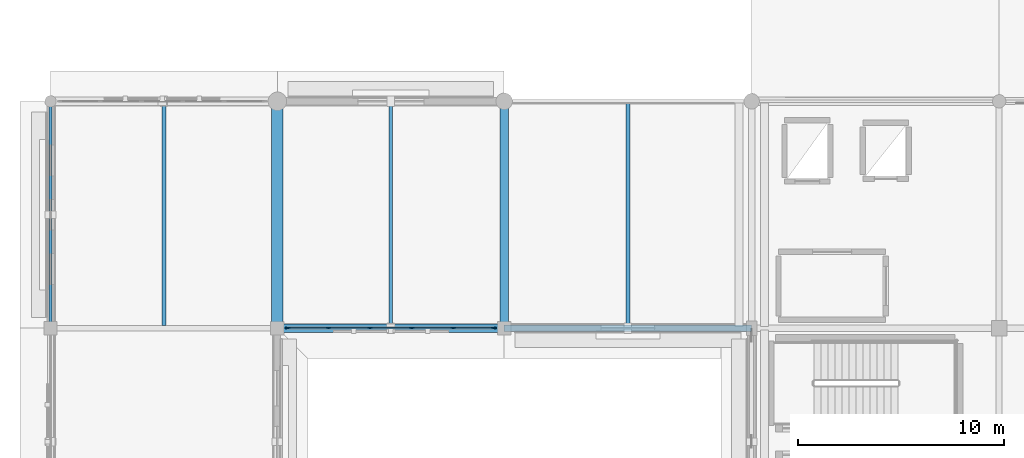
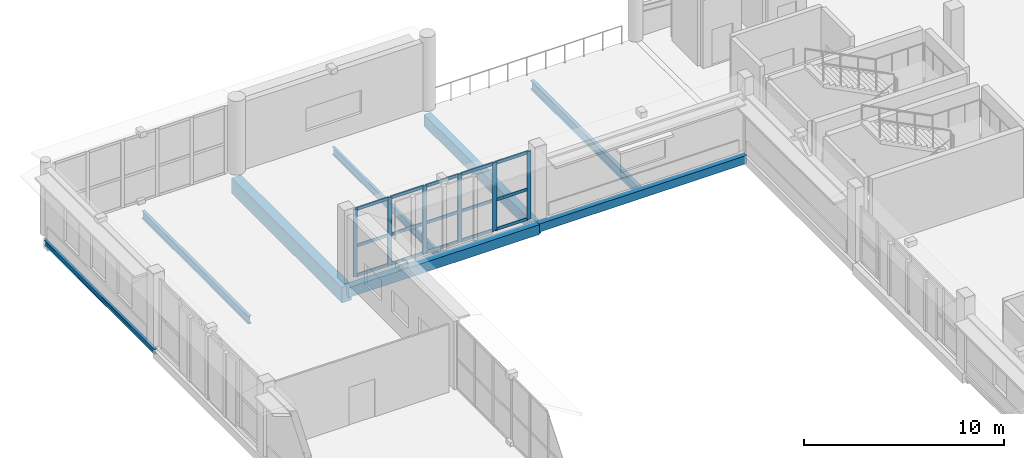
# One storey, part 38 of 118: 21 members, 8 beams, 1 element without a shape of its own.
"""IFC4 building model written with IfcOpenShell, lengths in metres."""

from ifc_helpers import new_model, si_unit, direction, frame, origin, origin_2d, place, context, subcontext, project, spatial, rectangle, hollow_rectangle, i_section, extrude, material, material_profile, profile_set, type_object, element, aggregate, save


model = new_model("IFC4")

# Units and contexts
model_context = context("Model", 3, precision=1e-05, world=origin(), true_north=direction((0.0, 1.0)))
body_context = subcontext(model_context, "Body", "Model", "MODEL_VIEW")
ifc_project = project(units=[si_unit("LENGTHUNIT", "METRE"), si_unit("AREAUNIT", "SQUARE_METRE"), si_unit("VOLUMEUNIT", "CUBIC_METRE"), si_unit("PLANEANGLEUNIT", "RADIAN"), si_unit("MASSUNIT", "GRAM", prefix="KILO")], contexts=[model_context])

# Site, building, storey
site_placement = place(None, origin())
site = spatial("IfcSite", under=ifc_project, at=site_placement, CompositionType="ELEMENT")
building_placement = place(site_placement, origin())
building = spatial("IfcBuilding", under=site, at=building_placement, Name="Luwafu Chhajja Arena", CompositionType="ELEMENT")
storey_placement = place(building_placement, frame((0.0, 0.0, 10.199951171875)))
storey = spatial("IfcBuildingStorey", under=building, at=storey_placement, Name="L02", CompositionType="ELEMENT", Elevation=10.199951171875)

# Curtain wall, members
ifc_material_1 = material(Name="Anodised bronze aluminium", Category="aluminium")
curtain_wall_type = type_object("IfcCurtainWallType", Name="Media Ribbon Curtain Wall", PredefinedType="USERDEFINED", material=ifc_material_1)
curtain_wall_placement = place(storey_placement, origin())
curtain_wall = element("IfcCurtainWall", 1, at=curtain_wall_placement, inside=storey, type_object=curtain_wall_type, Name="L02 Curtain Wall CWG-L02-H01_08", ObjectType="CURTAIN WALL", PredefinedType="USERDEFINED")
ifc_material_profile_1 = material_profile(ifc_material_1, rectangle(XDim=0.070068359375, YDim=0.239990234375, at=origin_2d()), Name="CWM 70x240")
ifc_profile_set_1 = profile_set([ifc_material_profile_1], Name="Anodised bronze aluminium")
member_type_1 = type_object("IfcMemberType", Name="Bronze Curtain Wall Mullion 70x240", PredefinedType="MULLION", material=ifc_profile_set_1)
member_1_placement = place(storey_placement, frame((11.5, 88.0, 0.030029296875), z_axis=(0.0, 0.0, 1.0), x_axis=(0.0, 1.0, 0.0)))
member_1 = element("IfcMember", 2, at=member_1_placement, type_object=member_type_1, Name="CW-03 mullion 1", PredefinedType="MULLION", context=body_context, shape_type="SweptSolid", body=[
    extrude(rectangle(XDim=0.070068359375, YDim=0.239990234375, at=origin_2d()), origin(), (0.0, 0.0, 1.0), 4.114990234375),
])
member_2_placement = place(storey_placement, frame((13.47900390625, 88.0, 0.030029296875), z_axis=(0.0, 0.0, 1.0), x_axis=(0.0, 1.0, 0.0)))
member_2 = element("IfcMember", 3, at=member_2_placement, type_object=member_type_1, Name="CW-03 mullion 2", PredefinedType="MULLION", context=body_context, shape_type="SweptSolid", body=[
    extrude(rectangle(XDim=0.070068359375, YDim=0.239990234375, at=origin_2d()), origin(), (0.0, 0.0, 1.0), 4.114990234375),
])
member_3_placement = place(storey_placement, frame((15.492919921875, 88.0, 0.030029296875), z_axis=(0.0, 0.0, 1.0), x_axis=(0.0, 1.0, 0.0)))
member_3 = element("IfcMember", 4, at=member_3_placement, type_object=member_type_1, Name="CW-03 mullion 3", PredefinedType="MULLION", context=body_context, shape_type="SweptSolid", body=[
    extrude(rectangle(XDim=0.070068359375, YDim=0.239990234375, at=origin_2d()), origin(), (0.0, 0.0, 1.0), 4.114990234375),
])
member_4_placement = place(storey_placement, frame((17.507080078125, 88.0, 0.030029296875), z_axis=(0.0, 0.0, 1.0), x_axis=(0.0, 1.0, 0.0)))
member_4 = element("IfcMember", 5, at=member_4_placement, type_object=member_type_1, Name="CW-03 mullion 4", PredefinedType="MULLION", context=body_context, shape_type="SweptSolid", body=[
    extrude(rectangle(XDim=0.070068359375, YDim=0.239990234375, at=origin_2d()), origin(), (0.0, 0.0, 1.0), 4.114990234375),
])
member_5_placement = place(storey_placement, frame((19.52099609375, 88.0, 0.030029296875), z_axis=(0.0, 0.0, 1.0), x_axis=(0.0, 1.0, 0.0)))
member_5 = element("IfcMember", 6, at=member_5_placement, type_object=member_type_1, Name="CW-03 mullion 5", PredefinedType="MULLION", context=body_context, shape_type="SweptSolid", body=[
    extrude(rectangle(XDim=0.070068359375, YDim=0.239990234375, at=origin_2d()), origin(), (0.0, 0.0, 1.0), 4.114990234375),
])
member_6_placement = place(storey_placement, frame((21.5, 88.0, 0.030029296875), z_axis=(0.0, 0.0, 1.0), x_axis=(0.0, 1.0, 0.0)))
member_6 = element("IfcMember", 7, at=member_6_placement, type_object=member_type_1, Name="CW-03 mullion 6", PredefinedType="MULLION", context=body_context, shape_type="SweptSolid", body=[
    extrude(rectangle(XDim=0.070068359375, YDim=0.239990234375, at=origin_2d()), origin(), (0.0, 0.0, 1.0), 4.114990234375),
])
ifc_material_profile_2 = material_profile(ifc_material_1, rectangle(XDim=0.070068359375, YDim=0.179931640625, at=origin_2d()), Name="CWT 70x180")
ifc_profile_set_2 = profile_set([ifc_material_profile_2], Name="Anodised bronze aluminium")
member_type_2 = type_object("IfcMemberType", Name="Bronze Curtain Wall Transom 70x180", PredefinedType="USERDEFINED", material=ifc_profile_set_2)
member_7_placement = place(storey_placement, frame((11.534912109375, 88.0, 0.06494140625), z_axis=(1.0, 0.0, 0.0), x_axis=(0.0, 1.0, 0.0)))
member_7 = element("IfcMember", 8, at=member_7_placement, type_object=member_type_2, Name="CW-03 transom 1.1", ObjectType="TRANSOM", PredefinedType="USERDEFINED", context=body_context, shape_type="SweptSolid", body=[
    extrude(rectangle(XDim=0.070068359375, YDim=0.179931640625, at=origin_2d()), origin(), (0.0, 0.0, 1.0), 1.9091796875),
])
member_8_placement = place(storey_placement, frame((11.534912109375, 88.0, 1.865234375), z_axis=(1.0, 0.0, 0.0), x_axis=(0.0, 1.0, 0.0)))
member_8 = element("IfcMember", 9, at=member_8_placement, type_object=member_type_2, Name="CW-03 transom 1.2", ObjectType="TRANSOM", PredefinedType="USERDEFINED", context=body_context, shape_type="SweptSolid", body=[
    extrude(rectangle(XDim=0.070068359375, YDim=0.179931640625, at=origin_2d()), origin(), (0.0, 0.0, 1.0), 1.9091796875),
])
member_9_placement = place(storey_placement, frame((11.534912109375, 88.0, 4.110107421875), z_axis=(1.0, 0.0, 0.0), x_axis=(0.0, 1.0, 0.0)))
member_9 = element("IfcMember", 10, at=member_9_placement, type_object=member_type_2, Name="CW-03 transom 1.3", ObjectType="TRANSOM", PredefinedType="USERDEFINED", context=body_context, shape_type="SweptSolid", body=[
    extrude(rectangle(XDim=0.070068359375, YDim=0.179931640625, at=origin_2d()), origin(), (0.0, 0.0, 1.0), 1.9091796875),
])
member_10_placement = place(storey_placement, frame((13.513916015625, 88.0, 0.06494140625), z_axis=(1.0, 0.0, 0.0), x_axis=(0.0, 1.0, 0.0)))
member_10 = element("IfcMember", 11, at=member_10_placement, type_object=member_type_2, Name="CW-03 transom 2.1", ObjectType="TRANSOM", PredefinedType="USERDEFINED", context=body_context, shape_type="SweptSolid", body=[
    extrude(rectangle(XDim=0.070068359375, YDim=0.179931640625, at=origin_2d()), origin(), (0.0, 0.0, 1.0), 1.944091796875),
])
member_11_placement = place(storey_placement, frame((13.513916015625, 88.0, 1.865234375), z_axis=(1.0, 0.0, 0.0), x_axis=(0.0, 1.0, 0.0)))
member_11 = element("IfcMember", 12, at=member_11_placement, type_object=member_type_2, Name="CW-03 transom 2.2", ObjectType="TRANSOM", PredefinedType="USERDEFINED", context=body_context, shape_type="SweptSolid", body=[
    extrude(rectangle(XDim=0.070068359375, YDim=0.179931640625, at=origin_2d()), origin(), (0.0, 0.0, 1.0), 1.944091796875),
])
member_12_placement = place(storey_placement, frame((13.513916015625, 88.0, 4.110107421875), z_axis=(1.0, 0.0, 0.0), x_axis=(0.0, 1.0, 0.0)))
member_12 = element("IfcMember", 13, at=member_12_placement, type_object=member_type_2, Name="CW-03 transom 2.3", ObjectType="TRANSOM", PredefinedType="USERDEFINED", context=body_context, shape_type="SweptSolid", body=[
    extrude(rectangle(XDim=0.070068359375, YDim=0.179931640625, at=origin_2d()), origin(), (0.0, 0.0, 1.0), 1.944091796875),
])
member_13_placement = place(storey_placement, frame((15.528076171875, 88.0, 0.06494140625), z_axis=(1.0, 0.0, 0.0), x_axis=(0.0, 1.0, 0.0)))
member_13 = element("IfcMember", 14, at=member_13_placement, type_object=member_type_2, Name="CW-03 transom 3.1", ObjectType="TRANSOM", PredefinedType="USERDEFINED", context=body_context, shape_type="SweptSolid", body=[
    extrude(rectangle(XDim=0.070068359375, YDim=0.179931640625, at=origin_2d()), origin(), (0.0, 0.0, 1.0), 1.94384765625),
])
member_14_placement = place(storey_placement, frame((15.528076171875, 88.0, 1.865234375), z_axis=(1.0, 0.0, 0.0), x_axis=(0.0, 1.0, 0.0)))
member_14 = element("IfcMember", 15, at=member_14_placement, type_object=member_type_2, Name="CW-03 transom 3.2", ObjectType="TRANSOM", PredefinedType="USERDEFINED", context=body_context, shape_type="SweptSolid", body=[
    extrude(rectangle(XDim=0.070068359375, YDim=0.179931640625, at=origin_2d()), origin(), (0.0, 0.0, 1.0), 1.94384765625),
])
member_15_placement = place(storey_placement, frame((15.528076171875, 88.0, 4.110107421875), z_axis=(1.0, 0.0, 0.0), x_axis=(0.0, 1.0, 0.0)))
member_15 = element("IfcMember", 16, at=member_15_placement, type_object=member_type_2, Name="CW-03 transom 3.3", ObjectType="TRANSOM", PredefinedType="USERDEFINED", context=body_context, shape_type="SweptSolid", body=[
    extrude(rectangle(XDim=0.070068359375, YDim=0.179931640625, at=origin_2d()), origin(), (0.0, 0.0, 1.0), 1.94384765625),
])
member_16_placement = place(storey_placement, frame((17.5419921875, 88.0, 0.06494140625), z_axis=(1.0, 0.0, 0.0), x_axis=(0.0, 1.0, 0.0)))
member_16 = element("IfcMember", 17, at=member_16_placement, type_object=member_type_2, Name="CW-03 transom 4.1", ObjectType="TRANSOM", PredefinedType="USERDEFINED", context=body_context, shape_type="SweptSolid", body=[
    extrude(rectangle(XDim=0.070068359375, YDim=0.179931640625, at=origin_2d()), origin(), (0.0, 0.0, 1.0), 1.944091796875),
])
member_17_placement = place(storey_placement, frame((17.5419921875, 88.0, 1.865234375), z_axis=(1.0, 0.0, 0.0), x_axis=(0.0, 1.0, 0.0)))
member_17 = element("IfcMember", 18, at=member_17_placement, type_object=member_type_2, Name="CW-03 transom 4.2", ObjectType="TRANSOM", PredefinedType="USERDEFINED", context=body_context, shape_type="SweptSolid", body=[
    extrude(rectangle(XDim=0.070068359375, YDim=0.179931640625, at=origin_2d()), origin(), (0.0, 0.0, 1.0), 1.944091796875),
])
member_18_placement = place(storey_placement, frame((17.5419921875, 88.0, 4.110107421875), z_axis=(1.0, 0.0, 0.0), x_axis=(0.0, 1.0, 0.0)))
member_18 = element("IfcMember", 19, at=member_18_placement, type_object=member_type_2, Name="CW-03 transom 4.3", ObjectType="TRANSOM", PredefinedType="USERDEFINED", context=body_context, shape_type="SweptSolid", body=[
    extrude(rectangle(XDim=0.070068359375, YDim=0.179931640625, at=origin_2d()), origin(), (0.0, 0.0, 1.0), 1.944091796875),
])
member_19_placement = place(storey_placement, frame((19.555908203125, 88.0, 0.06494140625), z_axis=(1.0, 0.0, 0.0), x_axis=(0.0, 1.0, 0.0)))
member_19 = element("IfcMember", 20, at=member_19_placement, type_object=member_type_2, Name="CW-03 transom 5.1", ObjectType="TRANSOM", PredefinedType="USERDEFINED", context=body_context, shape_type="SweptSolid", body=[
    extrude(rectangle(XDim=0.070068359375, YDim=0.179931640625, at=origin_2d()), origin(), (0.0, 0.0, 1.0), 1.9091796875),
])
member_20_placement = place(storey_placement, frame((19.555908203125, 88.0, 1.865234375), z_axis=(1.0, 0.0, 0.0), x_axis=(0.0, 1.0, 0.0)))
member_20 = element("IfcMember", 21, at=member_20_placement, type_object=member_type_2, Name="CW-03 transom 5.2", ObjectType="TRANSOM", PredefinedType="USERDEFINED", context=body_context, shape_type="SweptSolid", body=[
    extrude(rectangle(XDim=0.070068359375, YDim=0.179931640625, at=origin_2d()), origin(), (0.0, 0.0, 1.0), 1.9091796875),
])
member_21_placement = place(storey_placement, frame((19.555908203125, 88.0, 4.110107421875), z_axis=(1.0, 0.0, 0.0), x_axis=(0.0, 1.0, 0.0)))
member_21 = element("IfcMember", 22, at=member_21_placement, type_object=member_type_2, Name="CW-03 transom 5.3", ObjectType="TRANSOM", PredefinedType="USERDEFINED", context=body_context, shape_type="SweptSolid", body=[
    extrude(rectangle(XDim=0.070068359375, YDim=0.179931640625, at=origin_2d()), origin(), (0.0, 0.0, 1.0), 1.9091796875),
])
aggregate(curtain_wall, [member_1, member_2, member_3, member_4, member_5, member_6, member_7, member_8, member_9, member_10, member_11, member_12, member_13, member_14, member_15, member_16, member_17, member_18, member_19, member_20, member_21])

# Beams
ifc_material_2 = material(Name="Steel S355", Category="steel")
ifc_material_profile_3 = material_profile(ifc_material_2, i_section(OverallWidth=0.165771484375, OverallDepth=0.306640625, WebThickness=0.006591796875, FlangeThickness=0.01171875, at=origin_2d()), Name="UB 305x165x46")
ifc_profile_set_3 = profile_set([ifc_material_profile_3], Name="Steel S355")
beam_type_1 = type_object("IfcBeamType", Name="Concourse Edge Spandrel Beam UB 305x165x46", PredefinedType="SPANDREL", material=ifc_profile_set_3)
beam_1_placement = place(storey_placement, frame((0.0, 88.0, -0.543212890625), z_axis=(0.0, 1.0, 0.0), x_axis=(-1.0, 0.0, 0.0)))
element("IfcBeam", 23, at=beam_1_placement, inside=storey, type_object=beam_type_1, Name="L02 Grid Beam 1/J-K", PredefinedType="SPANDREL", context=body_context, shape_type="SweptSolid", body=[
    extrude(i_section(OverallWidth=0.165771484375, OverallDepth=0.306640625, WebThickness=0.006591796875, FlangeThickness=0.01171875, at=origin_2d()), origin(), (0.0, 0.0, 1.0), 11.0),
])
ifc_material_3 = material(Name="Concrete C35/45", Category="concrete")
ifc_material_profile_4 = material_profile(ifc_material_3, rectangle(XDim=0.550048828125, YDim=0.949951171875, at=origin_2d()), Name="RC 550x950")
ifc_profile_set_4 = profile_set([ifc_material_profile_4], Name="Concrete C35/45")
beam_type_2 = type_object("IfcBeamType", Name="Concourse Radial Girder RC 550x950", PredefinedType="BEAM", material=ifc_profile_set_4)
beam_2_placement = place(storey_placement, frame((11.0, 88.0, -0.864990234375), z_axis=(0.0, 1.0, 0.0), x_axis=(-1.0, 0.0, 0.0)))
element("IfcBeam", 24, at=beam_2_placement, inside=storey, type_object=beam_type_2, Name="L02 Grid Beam 2/J-K", PredefinedType="BEAM", context=body_context, shape_type="SweptSolid", body=[
    extrude(rectangle(XDim=0.550048828125, YDim=0.949951171875, at=origin_2d()), origin(), (0.0, 0.0, 1.0), 11.0),
])
ifc_material_profile_5 = material_profile(ifc_material_2, i_section(OverallWidth=0.15283203125, OverallDepth=0.45458984375, WebThickness=0.008056640625, FlangeThickness=0.01318359375, at=origin_2d()), Name="UB 457x152x60")
ifc_profile_set_5 = profile_set([ifc_material_profile_5], Name="Steel S355")
beam_type_3 = type_object("IfcBeamType", Name="Floor Joist UB 457x152x60", PredefinedType="JOIST", material=ifc_profile_set_5)
beam_3_placement = place(storey_placement, frame((16.5, 88.199951171875, -0.6171875), z_axis=(0.0, 1.0, 0.0), x_axis=(-1.0, 0.0, 0.0)))
element("IfcBeam", 25, at=beam_3_placement, inside=storey, type_object=beam_type_3, Name="L02 Secondary Joist 2-3/J", PredefinedType="JOIST", context=body_context, shape_type="SweptSolid", body=[
    extrude(i_section(OverallWidth=0.15283203125, OverallDepth=0.45458984375, WebThickness=0.008056640625, FlangeThickness=0.01318359375, at=origin_2d()), origin(), (0.0, 0.0, 1.0), 10.650146484375),
])
ifc_material_profile_6 = material_profile(ifc_material_2, i_section(OverallWidth=0.19140625, OverallDepth=0.4599609375, WebThickness=0.010009765625, FlangeThickness=0.01611328125, at=origin_2d()), Name="UB 457x191x82")
ifc_profile_set_6 = profile_set([ifc_material_profile_6], Name="Steel S355")
beam_type_4 = type_object("IfcBeamType", Name="Floor Joist UB 457x191x82", PredefinedType="JOIST", material=ifc_profile_set_6)
beam_4_placement = place(storey_placement, frame((5.5, 88.126953125, -0.619873046875), z_axis=(0.0, 1.0, 0.0), x_axis=(-1.0, 0.0, 0.0)))
element("IfcBeam", 26, at=beam_4_placement, inside=storey, type_object=beam_type_4, Name="L02 Secondary Joist 1-2/J", PredefinedType="JOIST", context=body_context, shape_type="SweptSolid", body=[
    extrude(i_section(OverallWidth=0.19140625, OverallDepth=0.4599609375, WebThickness=0.010009765625, FlangeThickness=0.01611328125, at=origin_2d()), origin(), (0.0, 0.0, 1.0), 10.673095703125),
])
ifc_material_profile_7 = material_profile(ifc_material_2, i_section(OverallWidth=0.2099609375, OverallDepth=0.53662109375, WebThickness=0.0107421875, FlangeThickness=0.017333984375, at=origin_2d()), Name="UB 533x210x101")
ifc_profile_set_7 = profile_set([ifc_material_profile_7], Name="Steel S355")
beam_type_5 = type_object("IfcBeamType", Name="Floor Joist UB 533x210x101", PredefinedType="JOIST", material=ifc_profile_set_7)
beam_5_placement = place(storey_placement, frame((28.0, 88.14990234375, -0.658203125), z_axis=(0.0, 1.0, 0.0), x_axis=(-1.0, 0.0, 0.0)))
element("IfcBeam", 27, at=beam_5_placement, inside=storey, type_object=beam_type_5, Name="L02 Secondary Joist 3-4/J", PredefinedType="JOIST", context=body_context, shape_type="SweptSolid", body=[
    extrude(i_section(OverallWidth=0.2099609375, OverallDepth=0.53662109375, WebThickness=0.0107421875, FlangeThickness=0.017333984375, at=origin_2d()), origin(), (0.0, 0.0, 1.0), 10.767333984375),
])
ifc_material_profile_8 = material_profile(ifc_material_2, hollow_rectangle(XDim=0.300048828125, YDim=0.5, WallThickness=0.02001953125, at=origin_2d()), Name="RHS 500x300x20")
ifc_profile_set_8 = profile_set([ifc_material_profile_8], Name="Steel S355")
beam_type_6 = type_object("IfcBeamType", Name="Pleated Drum Spandrel Beam RHS 500x300", PredefinedType="SPANDREL", material=ifc_profile_set_8)
beam_6_placement = place(storey_placement, frame((22.0, 88.0, -0.639892578125), z_axis=(1.0, 0.0, 0.0), x_axis=(0.0, 1.0, 0.0)))
element("IfcBeam", 28, at=beam_6_placement, inside=storey, type_object=beam_type_6, Name="L02 Grid Beam 3-4/J", PredefinedType="SPANDREL", context=body_context, shape_type="SweptSolid", body=[
    extrude(hollow_rectangle(XDim=0.300048828125, YDim=0.5, WallThickness=0.02001953125, at=origin_2d()), origin(), (0.0, 0.0, 1.0), 12.0),
])
ifc_material_profile_9 = material_profile(ifc_material_3, rectangle(XDim=0.39990234375, YDim=0.60009765625, at=origin_2d()), Name="RC 400x600")
ifc_profile_set_9 = profile_set([ifc_material_profile_9], Name="Concrete C35/45")
beam_type_7 = type_object("IfcBeamType", Name="Podium Perimeter Spandrel RC 400x600", PredefinedType="SPANDREL", material=ifc_profile_set_9)
beam_7_placement = place(storey_placement, frame((11.0, 88.0, -0.68994140625), z_axis=(1.0, 0.0, 0.0), x_axis=(0.0, 1.0, 0.0)))
element("IfcBeam", 29, at=beam_7_placement, inside=storey, type_object=beam_type_7, Name="L02 Grid Beam 2-3/J", PredefinedType="SPANDREL", context=body_context, shape_type="SweptSolid", body=[
    extrude(rectangle(XDim=0.39990234375, YDim=0.60009765625, at=origin_2d()), origin(), (0.0, 0.0, 1.0), 11.0),
])
ifc_material_profile_10 = material_profile(ifc_material_3, rectangle(XDim=0.39990234375, YDim=0.699951171875, at=origin_2d()), Name="RC 400x700")
ifc_profile_set_10 = profile_set([ifc_material_profile_10], Name="Concrete C35/45")
beam_type_8 = type_object("IfcBeamType", Name="Wing Frame Beam RC 400x700", PredefinedType="BEAM", material=ifc_profile_set_10)
beam_8_placement = place(storey_placement, frame((22.0, 88.0, -0.739990234375), z_axis=(0.0, 1.0, 0.0), x_axis=(-1.0, 0.0, 0.0)))
element("IfcBeam", 30, at=beam_8_placement, inside=storey, type_object=beam_type_8, Name="L02 Grid Beam 3/J-K", PredefinedType="BEAM", context=body_context, shape_type="SweptSolid", body=[
    extrude(rectangle(XDim=0.39990234375, YDim=0.699951171875, at=origin_2d()), origin(), (0.0, 0.0, 1.0), 11.0),
])

save(model, "model.ifc")
